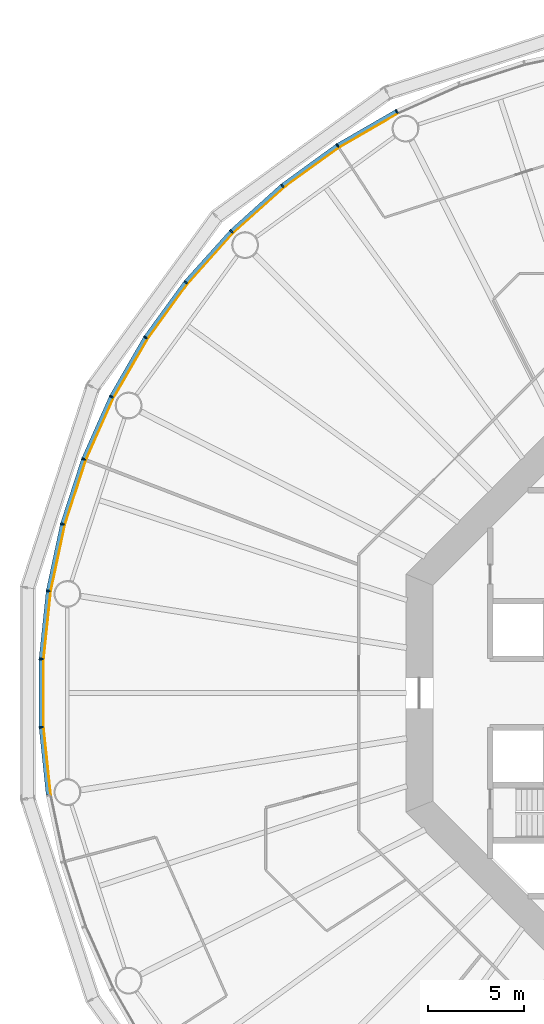
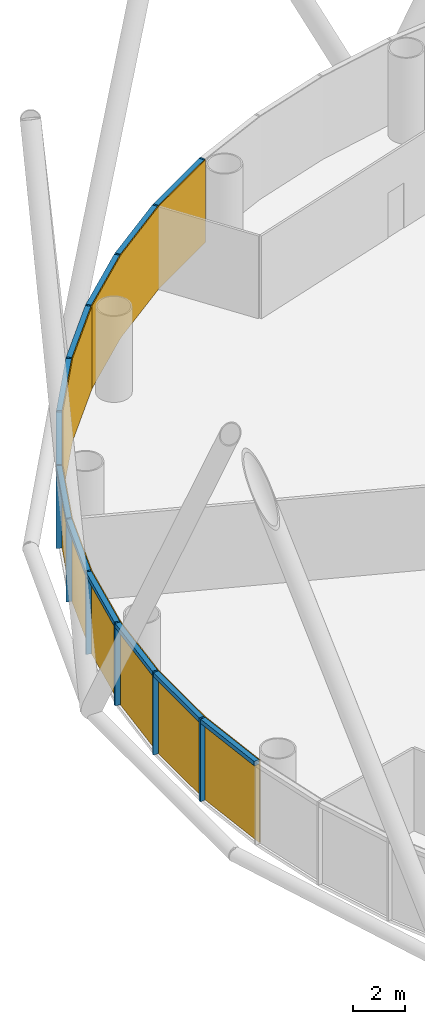
# One storey, part 9 of 13: 24 members, 4 curtain walls.
"""IFC4 building model written with IfcOpenShell, lengths in metres."""

from ifc_helpers import new_model, si_unit, direction, frame, origin, origin_2d, place, context, subcontext, project, spatial, polyline, rectangle, outline, extrude, material, layer, layer_set, material_profile, profile_set, type_object, element, aggregate, save


model = new_model("IFC4")

# Units and contexts
model_context = context("Model", 3, precision=1e-05, world=origin(), true_north=direction((0.0, 1.0)))
body_context = subcontext(model_context, "Body", "Model", "MODEL_VIEW")
ifc_project = project(units=[si_unit("LENGTHUNIT", "METRE"), si_unit("AREAUNIT", "SQUARE_METRE"), si_unit("VOLUMEUNIT", "CUBIC_METRE"), si_unit("PLANEANGLEUNIT", "RADIAN"), si_unit("MASSUNIT", "GRAM", prefix="KILO")], contexts=[model_context])

# Member
ifc_material_1 = material(Name="Anodised aluminium", Category="aluminium")
ifc_material_profile_1 = material_profile(ifc_material_1, rectangle(XDim=0.074951171875, YDim=0.219970703125, at=origin_2d()), Name="Mullion 75 x 220 mm anodised aluminium")
ifc_profile_set_1 = profile_set([ifc_material_profile_1], Name="Anodised aluminium")
member_type_1 = type_object("IfcMemberType", Name="Mullion 75 x 220 mm anodised aluminium", PredefinedType="MULLION", material=ifc_profile_set_1)
site_placement = place(None, origin())
building_placement = place(site_placement, origin())
storey_placement = place(building_placement, frame((0.0, 0.0, 18.0)))
member_1_placement = place(storey_placement, frame((74.514404296875, 110.392333984375, 0.0), z_axis=(0.0, 0.0, 1.0), x_axis=(-0.891006524188, -0.45399049974, 0.0)))
member_1 = element("IfcMember", 1, at=member_1_placement, type_object=member_type_1, Name="MULLION L02-18", PredefinedType="MULLION", context=body_context, shape_type="SweptSolid", body=[
    extrude(rectangle(XDim=0.074951171875, YDim=0.219970703125, at=origin_2d()), origin(), (0.0, 0.0, 1.0), 3.85009765625),
])

member_2_placement = place(storey_placement, frame((71.42236328125, 108.60693359375, 0.0), z_axis=(0.0, 0.0, 1.0), x_axis=(-0.838670567945, -0.544639035015, 0.0)))
member_2 = element("IfcMember", 2, at=member_2_placement, type_object=member_type_1, Name="MULLION L02-19", PredefinedType="MULLION", context=body_context, shape_type="SweptSolid", body=[
    extrude(rectangle(XDim=0.074951171875, YDim=0.219970703125, at=origin_2d()), origin(), (0.0, 0.0, 1.0), 3.85009765625),
])

member_3_placement = place(storey_placement, frame((68.533935546875, 106.508544921875, 0.0), z_axis=(0.0, 0.0, 1.0), x_axis=(-0.777145961457, -0.62932039105, 0.0)))
member_3 = element("IfcMember", 3, at=member_3_placement, type_object=member_type_1, Name="MULLION L02-20", PredefinedType="MULLION", context=body_context, shape_type="SweptSolid", body=[
    extrude(rectangle(XDim=0.074951171875, YDim=0.219970703125, at=origin_2d()), origin(), (0.0, 0.0, 1.0), 3.85009765625),
])

member_4_placement = place(storey_placement, frame((65.880615234375, 104.119384765625, 0.0), z_axis=(0.0, 0.0, 1.0), x_axis=(-0.707106781187, -0.707106781187, 0.0)))
member_4 = element("IfcMember", 4, at=member_4_placement, type_object=member_type_1, Name="MULLION L02-21", PredefinedType="MULLION", context=body_context, shape_type="SweptSolid", body=[
    extrude(rectangle(XDim=0.074951171875, YDim=0.219970703125, at=origin_2d()), origin(), (0.0, 0.0, 1.0), 3.85009765625),
])

member_5_placement = place(storey_placement, frame((63.491455078125, 101.466064453125, 0.0), z_axis=(0.0, 0.0, 1.0), x_axis=(-0.62932039105, -0.777145961457, 0.0)))
member_5 = element("IfcMember", 5, at=member_5_placement, type_object=member_type_1, Name="MULLION L02-22", PredefinedType="MULLION", context=body_context, shape_type="SweptSolid", body=[
    extrude(rectangle(XDim=0.074951171875, YDim=0.219970703125, at=origin_2d()), origin(), (0.0, 0.0, 1.0), 3.85009765625),
])

member_6_placement = place(storey_placement, frame((61.39306640625, 98.57763671875, 0.0), z_axis=(0.0, 0.0, 1.0), x_axis=(-0.544639035015, -0.838670567945, 0.0)))
member_6 = element("IfcMember", 6, at=member_6_placement, type_object=member_type_1, Name="MULLION L02-23", PredefinedType="MULLION", context=body_context, shape_type="SweptSolid", body=[
    extrude(rectangle(XDim=0.074951171875, YDim=0.219970703125, at=origin_2d()), origin(), (0.0, 0.0, 1.0), 3.85009765625),
])

member_7_placement = place(storey_placement, frame((59.607666015625, 95.485595703125, 0.0), z_axis=(0.0, 0.0, 1.0), x_axis=(-0.45399049974, -0.891006524188, 0.0)))
member_7 = element("IfcMember", 7, at=member_7_placement, type_object=member_type_1, Name="MULLION L02-24", PredefinedType="MULLION", context=body_context, shape_type="SweptSolid", body=[
    extrude(rectangle(XDim=0.074951171875, YDim=0.219970703125, at=origin_2d()), origin(), (0.0, 0.0, 1.0), 3.85009765625),
])

member_8_placement = place(storey_placement, frame((58.155517578125, 92.223876953125, 0.0), z_axis=(0.0, 0.0, 1.0), x_axis=(-0.358367949545, -0.933580426497, 0.0)))
member_8 = element("IfcMember", 8, at=member_8_placement, type_object=member_type_1, Name="MULLION L02-25", PredefinedType="MULLION", context=body_context, shape_type="SweptSolid", body=[
    extrude(rectangle(XDim=0.074951171875, YDim=0.219970703125, at=origin_2d()), origin(), (0.0, 0.0, 1.0), 3.85009765625),
])

member_9_placement = place(storey_placement, frame((57.05224609375, 88.828369140625, 0.0), z_axis=(0.0, 0.0, 1.0), x_axis=(-0.258819045103, -0.965925826289, 0.0)))
member_9 = element("IfcMember", 9, at=member_9_placement, type_object=member_type_1, Name="MULLION L02-26", PredefinedType="MULLION", context=body_context, shape_type="SweptSolid", body=[
    extrude(rectangle(XDim=0.074951171875, YDim=0.219970703125, at=origin_2d()), origin(), (0.0, 0.0, 1.0), 3.85009765625),
])

member_10_placement = place(storey_placement, frame((56.31005859375, 85.3359375, 0.0), z_axis=(0.0, 0.0, 1.0), x_axis=(-0.15643446504, -0.987688340595, 0.0)))
member_10 = element("IfcMember", 10, at=member_10_placement, type_object=member_type_1, Name="MULLION L02-27", PredefinedType="MULLION", context=body_context, shape_type="SweptSolid", body=[
    extrude(rectangle(XDim=0.074951171875, YDim=0.219970703125, at=origin_2d()), origin(), (0.0, 0.0, 1.0), 3.85009765625),
])

member_11_placement = place(storey_placement, frame((55.936767578125, 81.78515625, 0.0), z_axis=(0.0, 0.0, 1.0), x_axis=(-0.052335956243, -0.998629534755, 0.0)))
member_11 = element("IfcMember", 11, at=member_11_placement, type_object=member_type_1, Name="MULLION L02-28", PredefinedType="MULLION", context=body_context, shape_type="SweptSolid", body=[
    extrude(rectangle(XDim=0.074951171875, YDim=0.219970703125, at=origin_2d()), origin(), (0.0, 0.0, 1.0), 3.85009765625),
])

member_12_placement = place(storey_placement, frame((55.936767578125, 78.21484375, 0.0), z_axis=(0.0, 0.0, 1.0), x_axis=(0.052335956243, -0.998629534755, 0.0)))
member_12 = element("IfcMember", 12, at=member_12_placement, type_object=member_type_1, Name="MULLION L02-29", PredefinedType="MULLION", context=body_context, shape_type="SweptSolid", body=[
    extrude(rectangle(XDim=0.074951171875, YDim=0.219970703125, at=origin_2d()), origin(), (0.0, 0.0, 1.0), 3.85009765625),
])

ifc_material_2 = material(Name="Anodised aluminium", Category="aluminium")
ifc_material_profile_2 = material_profile(ifc_material_2, rectangle(XDim=0.219970703125, YDim=0.199951171875, at=origin_2d()), Name="Transom 200 x 220 mm anodised aluminium")
ifc_profile_set_2 = profile_set([ifc_material_profile_2], Name="Anodised aluminium")
member_type_2 = type_object("IfcMemberType", Name="Transom 200 x 220 mm anodised aluminium", PredefinedType="USERDEFINED", material=ifc_profile_set_2)
member_13_placement = place(storey_placement, frame((74.476806640625, 110.370849609375, 3.75), z_axis=(-0.866022206254, -0.500005538244, 0.0), x_axis=(0.500005538244, -0.866022206254, 0.0)))
member_13 = element("IfcMember", 13, at=member_13_placement, type_object=member_type_2, Name="TRANSOM L02-18", ObjectType="TRANSOM", PredefinedType="USERDEFINED", context=body_context, shape_type="SweptSolid", body=[
    extrude(rectangle(XDim=0.219970703125, YDim=0.199951171875, at=origin_2d()), origin(), (0.0, 0.0, 1.0), 3.48388671875),
])

member_14_placement = place(storey_placement, frame((71.38720703125, 108.581787109375, 3.75), z_axis=(-0.80899056535, -0.587821627006, 0.0), x_axis=(0.587821627006, -0.80899056535, 0.0)))
member_14 = element("IfcMember", 14, at=member_14_placement, type_object=member_type_2, Name="TRANSOM L02-19", ObjectType="TRANSOM", PredefinedType="USERDEFINED", context=body_context, shape_type="SweptSolid", body=[
    extrude(rectangle(XDim=0.219970703125, YDim=0.199951171875, at=origin_2d()), origin(), (0.0, 0.0, 1.0), 3.48388671875),
])

member_15_placement = place(storey_placement, frame((68.501708984375, 106.479736328125, 3.75), z_axis=(-0.743137329876, -0.669138930974, 0.0), x_axis=(0.669138930974, -0.743137329876, 0.0)))
member_15 = element("IfcMember", 15, at=member_15_placement, type_object=member_type_2, Name="TRANSOM L02-20", ObjectType="TRANSOM", PredefinedType="USERDEFINED", context=body_context, shape_type="SweptSolid", body=[
    extrude(rectangle(XDim=0.219970703125, YDim=0.199951171875, at=origin_2d()), origin(), (0.0, 0.0, 1.0), 3.484130859375),
])

member_16_placement = place(storey_placement, frame((65.8515625, 104.08740234375, 3.75), z_axis=(-0.669138930974, -0.743137329876, 0.0), x_axis=(0.743137329876, -0.669138930974, 0.0)))
member_16 = element("IfcMember", 16, at=member_16_placement, type_object=member_type_2, Name="TRANSOM L02-21", ObjectType="TRANSOM", PredefinedType="USERDEFINED", context=body_context, shape_type="SweptSolid", body=[
    extrude(rectangle(XDim=0.219970703125, YDim=0.199951171875, at=origin_2d()), origin(), (0.0, 0.0, 1.0), 3.484130859375),
])

member_17_placement = place(storey_placement, frame((63.466064453125, 101.43115234375, 3.75), z_axis=(-0.587821627006, -0.80899056535, 0.0), x_axis=(0.80899056535, -0.587821627006, 0.0)))
member_17 = element("IfcMember", 17, at=member_17_placement, type_object=member_type_2, Name="TRANSOM L02-22", ObjectType="TRANSOM", PredefinedType="USERDEFINED", context=body_context, shape_type="SweptSolid", body=[
    extrude(rectangle(XDim=0.219970703125, YDim=0.199951171875, at=origin_2d()), origin(), (0.0, 0.0, 1.0), 3.48388671875),
])

member_18_placement = place(storey_placement, frame((61.37109375, 98.540283203125, 3.75), z_axis=(-0.500005538244, -0.866022206254, 0.0), x_axis=(0.866022206254, -0.500005538244, 0.0)))
member_18 = element("IfcMember", 18, at=member_18_placement, type_object=member_type_2, Name="TRANSOM L02-23", ObjectType="TRANSOM", PredefinedType="USERDEFINED", context=body_context, shape_type="SweptSolid", body=[
    extrude(rectangle(XDim=0.219970703125, YDim=0.199951171875, at=origin_2d()), origin(), (0.0, 0.0, 1.0), 3.48388671875),
])

member_19_placement = place(storey_placement, frame((59.590087890625, 95.446044921875, 3.75), z_axis=(-0.406736576304, -0.913545487371, 0.0), x_axis=(0.913545487371, -0.406736576304, 0.0)))
member_19 = element("IfcMember", 19, at=member_19_placement, type_object=member_type_2, Name="TRANSOM L02-24", ObjectType="TRANSOM", PredefinedType="USERDEFINED", context=body_context, shape_type="SweptSolid", body=[
    extrude(rectangle(XDim=0.219970703125, YDim=0.199951171875, at=origin_2d()), origin(), (0.0, 0.0, 1.0), 3.48388671875),
])

member_20_placement = place(storey_placement, frame((58.14208984375, 92.182861328125, 3.75), z_axis=(-0.309029029702, -0.951052605696, 0.0), x_axis=(0.951052605696, -0.309029029702, 0.0)))
member_20 = element("IfcMember", 20, at=member_20_placement, type_object=member_type_2, Name="TRANSOM L02-25", ObjectType="TRANSOM", PredefinedType="USERDEFINED", context=body_context, shape_type="SweptSolid", body=[
    extrude(rectangle(XDim=0.219970703125, YDim=0.199951171875, at=origin_2d()), origin(), (0.0, 0.0, 1.0), 3.484130859375),
])

member_21_placement = place(storey_placement, frame((57.043212890625, 88.7861328125, 3.75), z_axis=(-0.207920776701, -0.978145669426, 0.0), x_axis=(0.978145669426, -0.207920776701, 0.0)))
member_21 = element("IfcMember", 21, at=member_21_placement, type_object=member_type_2, Name="TRANSOM L02-26", ObjectType="TRANSOM", PredefinedType="USERDEFINED", context=body_context, shape_type="SweptSolid", body=[
    extrude(rectangle(XDim=0.219970703125, YDim=0.199951171875, at=origin_2d()), origin(), (0.0, 0.0, 1.0), 3.48388671875),
])

member_22_placement = place(storey_placement, frame((56.30517578125, 85.29296875, 3.75), z_axis=(-0.104484152234, -0.994526551648, 0.0), x_axis=(0.994526551648, -0.104484152234, 0.0)))
member_22 = element("IfcMember", 22, at=member_22_placement, type_object=member_type_2, Name="TRANSOM L02-27", ObjectType="TRANSOM", PredefinedType="USERDEFINED", context=body_context, shape_type="SweptSolid", body=[
    extrude(rectangle(XDim=0.219970703125, YDim=0.199951171875, at=origin_2d()), origin(), (0.0, 0.0, 1.0), 3.48388671875),
])

member_23_placement = place(storey_placement, frame((55.9365234375, 81.741943359375, 3.75), z_axis=(0.0, -1.0, 0.0), x_axis=(1.0, 0.0, 0.0)))
member_23 = element("IfcMember", 23, at=member_23_placement, type_object=member_type_2, Name="TRANSOM L02-28", ObjectType="TRANSOM", PredefinedType="USERDEFINED", context=body_context, shape_type="SweptSolid", body=[
    extrude(rectangle(XDim=0.219970703125, YDim=0.199951171875, at=origin_2d()), origin(), (0.0, 0.0, 1.0), 3.48388671875),
])

member_24_placement = place(storey_placement, frame((55.941162109375, 78.171875, 3.75), z_axis=(0.104484152234, -0.994526551648, 0.0), x_axis=(0.994526551648, 0.104484152234, 0.0)))
member_24 = element("IfcMember", 24, at=member_24_placement, type_object=member_type_2, Name="TRANSOM L02-29", ObjectType="TRANSOM", PredefinedType="USERDEFINED", context=body_context, shape_type="SweptSolid", body=[
    extrude(rectangle(XDim=0.219970703125, YDim=0.199951171875, at=origin_2d()), origin(), (0.0, 0.0, 1.0), 3.48388671875),
])

# Site, building, storey
site = spatial("IfcSite", under=ifc_project, at=site_placement, CompositionType="ELEMENT")
building = spatial("IfcBuilding", under=site, at=building_placement, Name="Entoto Ring Tower", CompositionType="ELEMENT")
storey = spatial("IfcBuildingStorey", under=building, at=storey_placement, Name="L02", CompositionType="ELEMENT", Elevation=18.0)

# Curtain wall
ifc_material_3 = material(Name="Clear low-iron glass", Category="glass")
ifc_layer = layer(ifc_material_3, 0.0400390625)
ifc_layer_set = layer_set([ifc_layer], Name="Clear low-iron glass")
curtain_wall_type = type_object("IfcCurtainWallType", Name="Curtain wall system CW1 glazing 40 mm", PredefinedType="NOTDEFINED", material=ifc_layer_set)
curtain_wall_1_placement = place(storey_placement, origin())
curtain_wall_1 = element("IfcCurtainWall", 25, at=curtain_wall_1_placement, inside=storey, type_object=curtain_wall_type, Name="CW1 L02-07", PredefinedType="NOTDEFINED", context=body_context, shape_type="SweptSolid", body=[
    extrude(outline(polyline([(74.564208984375, 110.294189453125), (71.482177734375, 108.514892578125), (68.60302734375, 106.4228515625), (65.958251953125, 104.041748046875), (65.986572265625, 104.013427734375), (68.62841796875, 106.391845703125), (71.504150390625, 108.481201171875), (74.58251953125, 110.258544921875), (74.564208984375, 110.294189453125)])), origin(), (0.0, 0.0, 1.0), 3.85009765625),
])

aggregate(curtain_wall_1, [member_1, member_2, member_3, member_13, member_14, member_15])

curtain_wall_2_placement = place(storey_placement, origin())
curtain_wall_2 = element("IfcCurtainWall", 26, at=curtain_wall_2_placement, inside=storey, type_object=curtain_wall_type, Name="CW1 L02-08", PredefinedType="NOTDEFINED", context=body_context, shape_type="SweptSolid", body=[
    extrude(outline(polyline([(65.958251953125, 104.041748046875), (63.5771484375, 101.39697265625), (61.485107421875, 98.517822265625), (59.705810546875, 95.435791015625), (59.741455078125, 95.41748046875), (61.518798828125, 98.495849609375), (63.608154296875, 101.37158203125), (65.986572265625, 104.013427734375), (65.958251953125, 104.041748046875)])), origin(), (0.0, 0.0, 1.0), 3.85009765625),
])

aggregate(curtain_wall_2, [member_4, member_5, member_6, member_16, member_17, member_18])

curtain_wall_3_placement = place(storey_placement, origin())
curtain_wall_3 = element("IfcCurtainWall", 27, at=curtain_wall_3_placement, inside=storey, type_object=curtain_wall_type, Name="CW1 L02-09", PredefinedType="NOTDEFINED", context=body_context, shape_type="SweptSolid", body=[
    extrude(outline(polyline([(59.705810546875, 95.435791015625), (58.25830078125, 92.1845703125), (57.158447265625, 88.7998046875), (56.418701171875, 85.31884765625), (56.458251953125, 85.3125), (57.197265625, 88.78955078125), (58.295654296875, 92.170166015625), (59.741455078125, 95.41748046875), (59.705810546875, 95.435791015625)])), origin(), (0.0, 0.0, 1.0), 3.85009765625),
])

aggregate(curtain_wall_3, [member_7, member_8, member_9, member_19, member_20, member_21])

curtain_wall_4_placement = place(storey_placement, origin())
curtain_wall_4 = element("IfcCurtainWall", 28, at=curtain_wall_4_placement, inside=storey, type_object=curtain_wall_type, Name="CW1 L02-10", PredefinedType="NOTDEFINED", context=body_context, shape_type="SweptSolid", body=[
    extrude(outline(polyline([(56.418701171875, 85.31884765625), (56.046630859375, 81.779541015625), (56.046630859375, 78.220458984375), (56.418701171875, 74.68115234375), (56.458251953125, 74.6875), (56.086669921875, 78.22265625), (56.086669921875, 81.77734375), (56.458251953125, 85.3125), (56.418701171875, 85.31884765625)])), origin(), (0.0, 0.0, 1.0), 3.85009765625),
])

aggregate(curtain_wall_4, [member_10, member_11, member_12, member_22, member_23, member_24])

save(model, "model.ifc")
